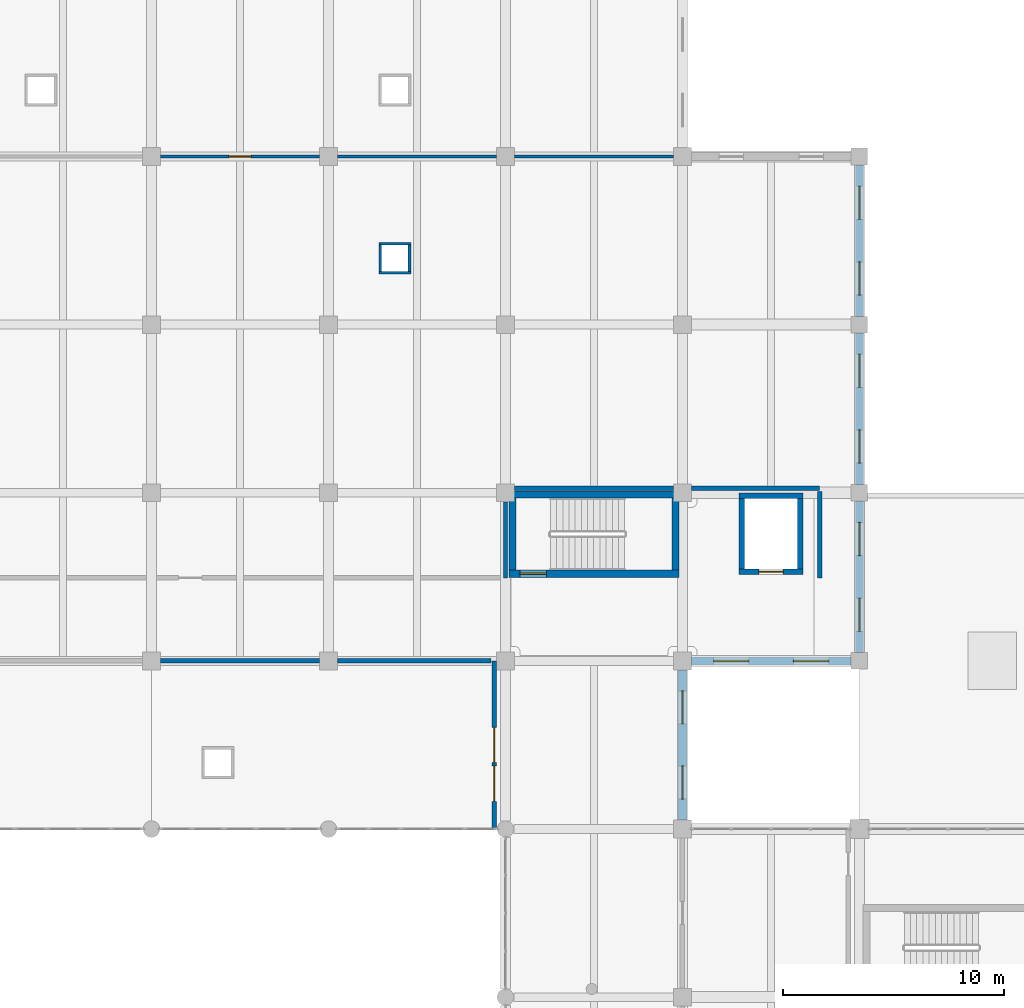
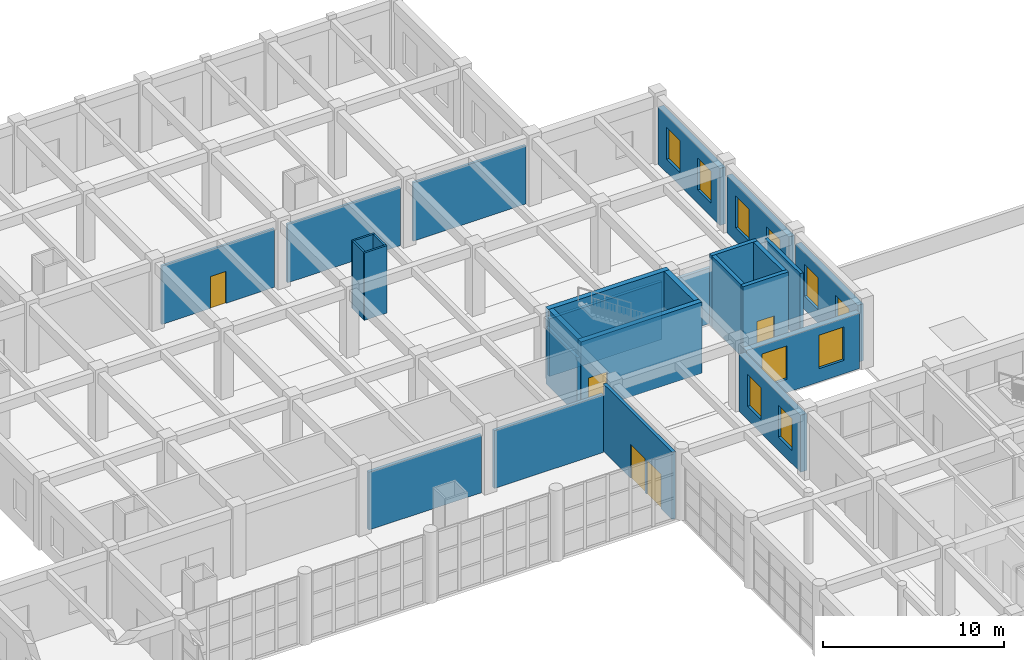
# One storey, part 77 of 101: 27 walls, 10 windows, 5 doors, 15 openings.
"""IFC4 building model written with IfcOpenShell, lengths in metres."""

from ifc_helpers import new_model, si_unit, direction, frame, frame_2d, origin, place, context, subcontext, project, spatial, rectangle, extrude, material, layer, layer_set, type_object, element, fill, save


model = new_model("IFC4")

# Units and contexts
model_context = context("Model", 3, precision=1e-05, world=origin(), true_north=direction((0.0, 1.0)))
body_context = subcontext(model_context, "Body", "Model", "MODEL_VIEW")
ifc_project = project(units=[si_unit("LENGTHUNIT", "METRE"), si_unit("AREAUNIT", "SQUARE_METRE"), si_unit("VOLUMEUNIT", "CUBIC_METRE"), si_unit("PLANEANGLEUNIT", "RADIAN"), si_unit("MASSUNIT", "GRAM", prefix="KILO")], contexts=[model_context])

# Site, building, storey
site_placement = place(None, origin())
site = spatial("IfcSite", under=ifc_project, at=site_placement, CompositionType="ELEMENT")
building_placement = place(site_placement, origin())
building = spatial("IfcBuilding", under=site, at=building_placement, Name="Zantavel Square City Hall", CompositionType="ELEMENT")
storey_placement = place(building_placement, frame((0.0, 0.0, 5.39990234375)))
storey = spatial("IfcBuildingStorey", under=building, at=storey_placement, Name="L02", CompositionType="ELEMENT", Elevation=5.39990234375)

# Wall, openings, windows
ifc_material_1 = material(Name="Cantera volcanic tuff stone", Category="masonry")
ifc_layer_1 = layer(ifc_material_1, 0.39990234375, Name="Cantera volcanic tuff stone")
ifc_layer_set_1 = layer_set([ifc_layer_1], Name="Cantera volcanic tuff stone")
wall_type_1 = type_object("IfcWallType", Name="Civic Pavilion Cantera Ashlar Wall 400mm", PredefinedType="STANDARD", material=ifc_layer_set_1)
wall_1_placement = place(storey_placement, frame((56.0, 75.60009765625, 0.0), z_axis=(0.0, 0.0, 1.0), x_axis=(0.0, -1.0, 0.0)))
wall_1 = element("IfcWall", 1, at=wall_1_placement, inside=storey, type_object=wall_type_1, Name="L02 Exterior Wall EW-L02-022", PredefinedType="STANDARD", context=body_context, shape_type="SweptSolid", body=[
    extrude(rectangle(XDim=6.800048828125, YDim=0.39990234375, at=frame_2d((3.39990234375, 0.0))), origin(), (0.0, 0.0, 1.0), 3.840087890625),
])
opening_1_placement = place(wall_1_placement, frame((0.949951171875, 0.0, 0.89990234375)))
opening_1 = element("IfcOpeningElement", 2, at=opening_1_placement, cuts=wall_1, Name="Opening W-185", PredefinedType="OPENING", context=body_context, shape_type="SweptSolid", body=[
    extrude(rectangle(XDim=1.5, YDim=2.14990234375, at=frame_2d((0.75, 1.074951171875))), frame((0.0, 0.2099609375, 0.0), z_axis=(0.0, -1.0, 0.0), x_axis=(1.0, 0.0, 0.0)), (0.0, 0.0, 1.0), 0.419921875),
])
opening_2_placement = place(wall_1_placement, frame((4.35009765625, 0.0, 0.89990234375)))
opening_2 = element("IfcOpeningElement", 3, at=opening_2_placement, cuts=wall_1, Name="Opening W-186", PredefinedType="OPENING", context=body_context, shape_type="SweptSolid", body=[
    extrude(rectangle(XDim=1.5, YDim=2.14990234375, at=frame_2d((0.75, 1.074951171875))), frame((0.0, 0.2099609375, 0.0), z_axis=(0.0, -1.0, 0.0), x_axis=(1.0, 0.0, 0.0)), (0.0, 0.0, 1.0), 0.419921875),
])
ifc_material_2 = material(Name="Tempered safety glass low-E double glazing", Category="glass")
window_type_1 = type_object("IfcWindowType", Name="Window Mezzanine Annex 1500x2150", PartitioningType="DOUBLE_PANEL_VERTICAL", PredefinedType="WINDOW", material=ifc_material_2)
window_1_placement = place(opening_1_placement, origin())
window_1 = element("IfcWindow", 4, at=window_1_placement, inside=storey, type_object=window_type_1, Name="L02 Window W-185", OverallHeight=2.14990234375, OverallWidth=1.5, PartitioningType="DOUBLE_PANEL_VERTICAL", PredefinedType="WINDOW", context=body_context, shape_type="SweptSolid", body=[
    extrude(rectangle(XDim=1.5, YDim=2.14990234375, at=frame_2d((0.75, 1.074951171875))), frame((0.0, 0.030029296875, 0.0), z_axis=(0.0, -1.0, 0.0), x_axis=(1.0, 0.0, 0.0)), (0.0, 0.0, 1.0), 0.06005859375),
])
fill(opening_1, window_1)
window_2_placement = place(opening_2_placement, origin())
window_2 = element("IfcWindow", 5, at=window_2_placement, inside=storey, type_object=window_type_1, Name="L02 Window W-186", OverallHeight=2.14990234375, OverallWidth=1.5, PartitioningType="DOUBLE_PANEL_VERTICAL", PredefinedType="WINDOW", context=body_context, shape_type="SweptSolid", body=[
    extrude(rectangle(XDim=1.5, YDim=2.14990234375, at=frame_2d((0.75, 1.074951171875))), frame((0.0, 0.030029296875, 0.0), z_axis=(0.0, -1.0, 0.0), x_axis=(1.0, 0.0, 0.0)), (0.0, 0.0, 1.0), 0.06005859375),
])
fill(opening_2, window_2)

# Wall, opening, door
ifc_material_3 = material(Name="Concrete C40/50", Category="concrete")
ifc_layer_2 = layer(ifc_material_3, 0.320068359375, Name="Concrete C40/50")
ifc_layer_set_2 = layer_set([ifc_layer_2], Name="Concrete C40/50")
wall_type_2 = type_object("IfcWallType", Name="Core Shear Wall RC 320mm C40/50", PredefinedType="SHEAR", material=ifc_layer_set_2)
wall_2_placement = place(storey_placement, frame((55.85009765625, 79.93994140625, 0.0), z_axis=(0.0, 0.0, 1.0), x_axis=(-1.0, 0.0, 0.0)))
wall_2 = element("IfcWall", 6, at=wall_2_placement, inside=storey, type_object=wall_type_2, Name="L02 Exit Stair 1 North-West Core Shear Wall South", PredefinedType="SHEAR", context=body_context, shape_type="SweptSolid", body=[
    extrude(rectangle(XDim=7.7001953125, YDim=0.320068359375, at=frame_2d((3.85009765625, 0.0))), origin(), (0.0, 0.0, 1.0), 4.800048828125),
])
opening_3_placement = place(wall_2_placement, frame((6.0, 0.0, 0.0)))
opening_3 = element("IfcOpeningElement", 7, at=opening_3_placement, cuts=wall_2, Name="Opening SD-003", PredefinedType="OPENING", context=body_context, shape_type="SweptSolid", body=[
    extrude(rectangle(XDim=1.199951171875, YDim=2.199951171875, at=frame_2d((0.60009765625, 1.10009765625))), frame((0.0, 0.169921875, 0.0), z_axis=(0.0, -1.0, 0.0), x_axis=(1.0, 0.0, 0.0)), (0.0, 0.0, 1.0), 0.340087890625),
])
ifc_material_4 = material(Name="Steel ASTM A500 Grade B", Category="steel")
door_type_1 = type_object("IfcDoorType", Name="Enclosed Exit Stairwell Fire Door 1200x2200 FD90S", OperationType="NOTDEFINED", PredefinedType="DOOR", material=ifc_material_4)
door_1_placement = place(opening_3_placement, origin())
door_1 = element("IfcDoor", 8, at=door_1_placement, inside=storey, type_object=door_type_1, Name="L02 Exit Stair 1 North-West Core Fire Door", OperationType="SINGLE_SWING_LEFT", OverallHeight=2.199951171875, OverallWidth=1.199951171875, PredefinedType="DOOR", context=body_context, shape_type="SweptSolid", body=[
    extrude(rectangle(XDim=1.199951171875, YDim=2.199951171875, at=frame_2d((0.60009765625, 1.10009765625))), frame((0.0, 0.02490234375, 0.0), z_axis=(0.0, -1.0, 0.0), x_axis=(1.0, 0.0, 0.0)), (0.0, 0.0, 1.0), 0.050048828125),
])
fill(opening_3, door_1)

# Walls
wall_3_placement = place(storey_placement, frame((48.31005859375, 80.10009765625, 0.0), z_axis=(0.0, 0.0, 1.0), x_axis=(0.0, 1.0, 0.0)))
element("IfcWall", 9, at=wall_3_placement, inside=storey, type_object=wall_type_2, Name="L02 Exit Stair 1 North-West Core Shear Wall West", PredefinedType="SHEAR", context=body_context, shape_type="SweptSolid", body=[
    extrude(rectangle(XDim=3.27001953125, YDim=0.320068359375, at=frame_2d((1.635009765625, 0.0))), origin(), (0.0, 0.0, 1.0), 4.800048828125),
])
wall_4_placement = place(storey_placement, frame((48.14990234375, 83.530029296875, 0.0), z_axis=(0.0, 0.0, 1.0), x_axis=(1.0, 0.0, 0.0)))
element("IfcWall", 10, at=wall_4_placement, inside=storey, type_object=wall_type_2, Name="L02 Exit Stair 1 North-West Core Shear Wall North", PredefinedType="SHEAR", context=body_context, shape_type="SweptSolid", body=[
    extrude(rectangle(XDim=7.7001953125, YDim=0.320068359375, at=frame_2d((3.85009765625, 0.0))), origin(), (0.0, 0.0, 1.0), 4.800048828125),
])
wall_5_placement = place(storey_placement, frame((55.68994140625, 83.3701171875, 0.0), z_axis=(0.0, 0.0, 1.0), x_axis=(0.0, -1.0, 0.0)))
element("IfcWall", 11, at=wall_5_placement, inside=storey, type_object=wall_type_2, Name="L02 Exit Stair 1 North-West Core Shear Wall East", PredefinedType="SHEAR", context=body_context, shape_type="SweptSolid", body=[
    extrude(rectangle(XDim=3.27001953125, YDim=0.320068359375, at=frame_2d((1.635009765625, 0.0))), origin(), (0.0, 0.0, 1.0), 4.800048828125),
])

# Wall, openings, windows
ifc_layer_3 = layer(ifc_material_1, 0.360107421875, Name="Cantera volcanic tuff stone")
ifc_layer_set_3 = layer_set([ifc_layer_3], Name="Cantera volcanic tuff stone")
wall_type_3 = type_object("IfcWallType", Name="Courtyard Cantera Facade Wall 360mm", PredefinedType="STANDARD", material=ifc_layer_set_3)
wall_6_placement = place(storey_placement, frame((64.0, 98.425048828125, 0.0), z_axis=(0.0, 0.0, 1.0), x_axis=(0.0, -1.0, 0.0)))
wall_6 = element("IfcWall", 12, at=wall_6_placement, inside=storey, type_object=wall_type_3, Name="L02 Exterior Wall EW-L02-018", PredefinedType="STANDARD", context=body_context, shape_type="SweptSolid", body=[
    extrude(rectangle(XDim=6.85009765625, YDim=0.360107421875, at=frame_2d((3.425048828125, 0.0))), origin(), (0.0, 0.0, 1.0), 3.840087890625),
])
opening_4_placement = place(wall_6_placement, frame((0.96240234375, 0.0, 0.89990234375)))
opening_4 = element("IfcOpeningElement", 13, at=opening_4_placement, cuts=wall_6, Name="Opening W-177", PredefinedType="OPENING", context=body_context, shape_type="SweptSolid", body=[
    extrude(rectangle(XDim=1.5, YDim=2.14990234375, at=frame_2d((0.75, 1.074951171875))), frame((0.0, 0.18994140625, 0.0), z_axis=(0.0, -1.0, 0.0), x_axis=(1.0, 0.0, 0.0)), (0.0, 0.0, 1.0), 0.380126953125),
])
opening_5_placement = place(wall_6_placement, frame((4.387451171875, 0.0, 0.89990234375)))
opening_5 = element("IfcOpeningElement", 14, at=opening_5_placement, cuts=wall_6, Name="Opening W-178", PredefinedType="OPENING", context=body_context, shape_type="SweptSolid", body=[
    extrude(rectangle(XDim=1.5, YDim=2.14990234375, at=frame_2d((0.75, 1.074951171875))), frame((0.0, 0.18994140625, 0.0), z_axis=(0.0, -1.0, 0.0), x_axis=(1.0, 0.0, 0.0)), (0.0, 0.0, 1.0), 0.380126953125),
])
window_3_placement = place(opening_4_placement, origin())
window_3 = element("IfcWindow", 15, at=window_3_placement, inside=storey, type_object=window_type_1, Name="L02 Window W-177", OverallHeight=2.14990234375, OverallWidth=1.5, PartitioningType="DOUBLE_PANEL_VERTICAL", PredefinedType="WINDOW", context=body_context, shape_type="SweptSolid", body=[
    extrude(rectangle(XDim=1.5, YDim=2.14990234375, at=frame_2d((0.75, 1.074951171875))), frame((0.0, 0.030029296875, 0.0), z_axis=(0.0, -1.0, 0.0), x_axis=(1.0, 0.0, 0.0)), (0.0, 0.0, 1.0), 0.06005859375),
])
fill(opening_4, window_3)
window_4_placement = place(opening_5_placement, origin())
window_4 = element("IfcWindow", 16, at=window_4_placement, inside=storey, type_object=window_type_1, Name="L02 Window W-178", OverallHeight=2.14990234375, OverallWidth=1.5, PartitioningType="DOUBLE_PANEL_VERTICAL", PredefinedType="WINDOW", context=body_context, shape_type="SweptSolid", body=[
    extrude(rectangle(XDim=1.5, YDim=2.14990234375, at=frame_2d((0.75, 1.074951171875))), frame((0.0, 0.030029296875, 0.0), z_axis=(0.0, -1.0, 0.0), x_axis=(1.0, 0.0, 0.0)), (0.0, 0.0, 1.0), 0.06005859375),
])
fill(opening_5, window_4)

wall_7_placement = place(storey_placement, frame((64.0, 90.824951171875, 0.0), z_axis=(0.0, 0.0, 1.0), x_axis=(0.0, -1.0, 0.0)))
wall_7 = element("IfcWall", 17, at=wall_7_placement, inside=storey, type_object=wall_type_3, Name="L02 Exterior Wall EW-L02-019", PredefinedType="STANDARD", context=body_context, shape_type="SweptSolid", body=[
    extrude(rectangle(XDim=6.849853515625, YDim=0.360107421875, at=frame_2d((3.4248046875, 0.0))), origin(), (0.0, 0.0, 1.0), 3.840087890625),
])
opening_6_placement = place(wall_7_placement, frame((0.96240234375, 0.0, 0.89990234375)))
opening_6 = element("IfcOpeningElement", 18, at=opening_6_placement, cuts=wall_7, Name="Opening W-179", PredefinedType="OPENING", context=body_context, shape_type="SweptSolid", body=[
    extrude(rectangle(XDim=1.5, YDim=2.14990234375, at=frame_2d((0.75, 1.074951171875))), frame((0.0, 0.18994140625, 0.0), z_axis=(0.0, -1.0, 0.0), x_axis=(1.0, 0.0, 0.0)), (0.0, 0.0, 1.0), 0.380126953125),
])
opening_7_placement = place(wall_7_placement, frame((4.387451171875, 0.0, 0.89990234375)))
opening_7 = element("IfcOpeningElement", 19, at=opening_7_placement, cuts=wall_7, Name="Opening W-180", PredefinedType="OPENING", context=body_context, shape_type="SweptSolid", body=[
    extrude(rectangle(XDim=1.5, YDim=2.14990234375, at=frame_2d((0.75, 1.074951171875))), frame((0.0, 0.18994140625, 0.0), z_axis=(0.0, -1.0, 0.0), x_axis=(1.0, 0.0, 0.0)), (0.0, 0.0, 1.0), 0.380126953125),
])
window_5_placement = place(opening_6_placement, origin())
window_5 = element("IfcWindow", 20, at=window_5_placement, inside=storey, type_object=window_type_1, Name="L02 Window W-179", OverallHeight=2.14990234375, OverallWidth=1.5, PartitioningType="DOUBLE_PANEL_VERTICAL", PredefinedType="WINDOW", context=body_context, shape_type="SweptSolid", body=[
    extrude(rectangle(XDim=1.5, YDim=2.14990234375, at=frame_2d((0.75, 1.074951171875))), frame((0.0, 0.030029296875, 0.0), z_axis=(0.0, -1.0, 0.0), x_axis=(1.0, 0.0, 0.0)), (0.0, 0.0, 1.0), 0.06005859375),
])
fill(opening_6, window_5)
window_6_placement = place(opening_7_placement, origin())
window_6 = element("IfcWindow", 21, at=window_6_placement, inside=storey, type_object=window_type_1, Name="L02 Window W-180", OverallHeight=2.14990234375, OverallWidth=1.5, PartitioningType="DOUBLE_PANEL_VERTICAL", PredefinedType="WINDOW", context=body_context, shape_type="SweptSolid", body=[
    extrude(rectangle(XDim=1.5, YDim=2.14990234375, at=frame_2d((0.75, 1.074951171875))), frame((0.0, 0.030029296875, 0.0), z_axis=(0.0, -1.0, 0.0), x_axis=(1.0, 0.0, 0.0)), (0.0, 0.0, 1.0), 0.06005859375),
])
fill(opening_7, window_6)

wall_8_placement = place(storey_placement, frame((64.0, 83.22509765625, 0.0), z_axis=(0.0, 0.0, 1.0), x_axis=(0.0, -1.0, 0.0)))
wall_8 = element("IfcWall", 22, at=wall_8_placement, inside=storey, type_object=wall_type_3, Name="L02 Exterior Wall EW-L02-020", PredefinedType="STANDARD", context=body_context, shape_type="SweptSolid", body=[
    extrude(rectangle(XDim=6.85009765625, YDim=0.360107421875, at=frame_2d((3.425048828125, 0.0))), origin(), (0.0, 0.0, 1.0), 3.840087890625),
])
opening_8_placement = place(wall_8_placement, frame((0.96240234375, 0.0, 0.89990234375)))
opening_8 = element("IfcOpeningElement", 23, at=opening_8_placement, cuts=wall_8, Name="Opening W-181", PredefinedType="OPENING", context=body_context, shape_type="SweptSolid", body=[
    extrude(rectangle(XDim=1.5, YDim=2.14990234375, at=frame_2d((0.75, 1.074951171875))), frame((0.0, 0.18994140625, 0.0), z_axis=(0.0, -1.0, 0.0), x_axis=(1.0, 0.0, 0.0)), (0.0, 0.0, 1.0), 0.380126953125),
])
opening_9_placement = place(wall_8_placement, frame((4.387451171875, 0.0, 0.89990234375)))
opening_9 = element("IfcOpeningElement", 24, at=opening_9_placement, cuts=wall_8, Name="Opening W-182", PredefinedType="OPENING", context=body_context, shape_type="SweptSolid", body=[
    extrude(rectangle(XDim=1.5, YDim=2.14990234375, at=frame_2d((0.75, 1.074951171875))), frame((0.0, 0.18994140625, 0.0), z_axis=(0.0, -1.0, 0.0), x_axis=(1.0, 0.0, 0.0)), (0.0, 0.0, 1.0), 0.380126953125),
])
window_7_placement = place(opening_8_placement, origin())
window_7 = element("IfcWindow", 25, at=window_7_placement, inside=storey, type_object=window_type_1, Name="L02 Window W-181", OverallHeight=2.14990234375, OverallWidth=1.5, PartitioningType="DOUBLE_PANEL_VERTICAL", PredefinedType="WINDOW", context=body_context, shape_type="SweptSolid", body=[
    extrude(rectangle(XDim=1.5, YDim=2.14990234375, at=frame_2d((0.75, 1.074951171875))), frame((0.0, 0.030029296875, 0.0), z_axis=(0.0, -1.0, 0.0), x_axis=(1.0, 0.0, 0.0)), (0.0, 0.0, 1.0), 0.06005859375),
])
fill(opening_8, window_7)
window_8_placement = place(opening_9_placement, origin())
window_8 = element("IfcWindow", 26, at=window_8_placement, inside=storey, type_object=window_type_1, Name="L02 Window W-182", OverallHeight=2.14990234375, OverallWidth=1.5, PartitioningType="DOUBLE_PANEL_VERTICAL", PredefinedType="WINDOW", context=body_context, shape_type="SweptSolid", body=[
    extrude(rectangle(XDim=1.5, YDim=2.14990234375, at=frame_2d((0.75, 1.074951171875))), frame((0.0, 0.030029296875, 0.0), z_axis=(0.0, -1.0, 0.0), x_axis=(1.0, 0.0, 0.0)), (0.0, 0.0, 1.0), 0.06005859375),
])
fill(opening_9, window_8)

wall_9_placement = place(storey_placement, frame((63.625, 76.0, 0.0), z_axis=(0.0, 0.0, 1.0), x_axis=(-1.0, 0.0, 0.0)))
wall_9 = element("IfcWall", 27, at=wall_9_placement, inside=storey, type_object=wall_type_3, Name="L02 Exterior Wall EW-L02-021", PredefinedType="STANDARD", context=body_context, shape_type="SweptSolid", body=[
    extrude(rectangle(XDim=7.22509765625, YDim=0.360107421875, at=frame_2d((3.612548828125, 0.0))), origin(), (0.0, 0.0, 1.0), 3.739990234375),
])
opening_10_placement = place(wall_9_placement, frame((1.00634765625, 0.0, 0.89990234375)))
opening_10 = element("IfcOpeningElement", 28, at=opening_10_placement, cuts=wall_9, Name="Opening W-183", PredefinedType="OPENING", context=body_context, shape_type="SweptSolid", body=[
    extrude(rectangle(XDim=1.60009765625, YDim=2.25, at=frame_2d((0.800048828125, 1.125))), frame((0.0, 0.18994140625, 0.0), z_axis=(0.0, -1.0, 0.0), x_axis=(1.0, 0.0, 0.0)), (0.0, 0.0, 1.0), 0.380126953125),
])
opening_11_placement = place(wall_9_placement, frame((4.618896484375, 0.0, 0.89990234375)))
opening_11 = element("IfcOpeningElement", 29, at=opening_11_placement, cuts=wall_9, Name="Opening W-184", PredefinedType="OPENING", context=body_context, shape_type="SweptSolid", body=[
    extrude(rectangle(XDim=1.60009765625, YDim=2.25, at=frame_2d((0.800048828125, 1.125))), frame((0.0, 0.18994140625, 0.0), z_axis=(0.0, -1.0, 0.0), x_axis=(1.0, 0.0, 0.0)), (0.0, 0.0, 1.0), 0.380126953125),
])
window_type_2 = type_object("IfcWindowType", Name="Window Mezzanine Civic 1600x2250", PartitioningType="DOUBLE_PANEL_VERTICAL", PredefinedType="WINDOW", material=ifc_material_2)
window_9_placement = place(opening_10_placement, origin())
window_9 = element("IfcWindow", 30, at=window_9_placement, inside=storey, type_object=window_type_2, Name="L02 Window W-183", OverallHeight=2.25, OverallWidth=1.60009765625, PartitioningType="DOUBLE_PANEL_VERTICAL", PredefinedType="WINDOW", context=body_context, shape_type="SweptSolid", body=[
    extrude(rectangle(XDim=1.60009765625, YDim=2.25, at=frame_2d((0.800048828125, 1.125))), frame((0.0, 0.030029296875, 0.0), z_axis=(0.0, -1.0, 0.0), x_axis=(1.0, 0.0, 0.0)), (0.0, 0.0, 1.0), 0.06005859375),
])
fill(opening_10, window_9)
window_10_placement = place(opening_11_placement, origin())
window_10 = element("IfcWindow", 31, at=window_10_placement, inside=storey, type_object=window_type_2, Name="L02 Window W-184", OverallHeight=2.25, OverallWidth=1.60009765625, PartitioningType="DOUBLE_PANEL_VERTICAL", PredefinedType="WINDOW", context=body_context, shape_type="SweptSolid", body=[
    extrude(rectangle(XDim=1.60009765625, YDim=2.25, at=frame_2d((0.800048828125, 1.125))), frame((0.0, 0.030029296875, 0.0), z_axis=(0.0, -1.0, 0.0), x_axis=(1.0, 0.0, 0.0)), (0.0, 0.0, 1.0), 0.06005859375),
])
fill(opening_11, window_10)

# Wall, opening, door
ifc_material_5 = material(Name="Gypsum acoustic stud assembly", Category="masonry")
ifc_layer_4 = layer(ifc_material_5, 0.14990234375, Name="Gypsum acoustic stud assembly")
ifc_layer_set_4 = layer_set([ifc_layer_4], Name="Gypsum acoustic stud assembly")
wall_type_4 = type_object("IfcWallType", Name="Department Office Partition 150mm", PredefinedType="PARTITIONING", material=ifc_layer_set_4)
wall_10_placement = place(storey_placement, frame((32.409912109375, 98.800048828125, 0.0), z_axis=(0.0, 0.0, 1.0), x_axis=(1.0, 0.0, 0.0)))
wall_10 = element("IfcWall", 32, at=wall_10_placement, inside=storey, type_object=wall_type_4, Name="L02 Interior Wall IW-L02-0218", PredefinedType="PARTITIONING", context=body_context, shape_type="SweptSolid", body=[
    extrude(rectangle(XDim=7.18017578125, YDim=0.14990234375, at=frame_2d((3.590087890625, 0.0))), origin(), (0.0, 0.0, 1.0), 3.940185546875),
])
opening_12_placement = place(wall_10_placement, frame((3.090087890625, 0.0, 0.0)))
opening_12 = element("IfcOpeningElement", 33, at=opening_12_placement, cuts=wall_10, Name="Opening D-0115", PredefinedType="OPENING", context=body_context, shape_type="SweptSolid", body=[
    extrude(rectangle(XDim=1.0, YDim=2.14990234375, at=frame_2d((0.5, 1.074951171875))), frame((0.0, 0.0849609375, 0.0), z_axis=(0.0, -1.0, 0.0), x_axis=(1.0, 0.0, 0.0)), (0.0, 0.0, 1.0), 0.169921875),
])
ifc_material_6 = material(Name="Solid oak hardwood", Category="wood")
door_type_2 = type_object("IfcDoorType", Name="Suite Internal Oak Single Door 1000x2150", OperationType="NOTDEFINED", PredefinedType="DOOR", material=ifc_material_6)
door_2_placement = place(opening_12_placement, origin())
door_2 = element("IfcDoor", 34, at=door_2_placement, inside=storey, type_object=door_type_2, Name="L02 Land Valuation and Registry Office Door", OperationType="SINGLE_SWING_LEFT", OverallHeight=2.14990234375, OverallWidth=1.0, PredefinedType="DOOR", context=body_context, shape_type="SweptSolid", body=[
    extrude(rectangle(XDim=1.0, YDim=2.14990234375, at=frame_2d((0.5, 1.074951171875))), frame((0.0, 0.02490234375, 0.0), z_axis=(0.0, -1.0, 0.0), x_axis=(1.0, 0.0, 0.0)), (0.0, 0.0, 1.0), 0.050048828125),
])
fill(opening_12, door_2)

# Walls
for number, where, z_axis, x_axis, name in (
    (35, (40.409912109375, 98.800048828125, 0.0), (0.0, 0.0, 1.0), (1.0, 0.0, 0.0), "L02 Interior Wall IW-L02-0219"),
    (36, (48.409912109375, 98.800048828125, 0.0), (0.0, 0.0, 1.0), (1.0, 0.0, 0.0), "L02 Interior Wall IW-L02-0220"),
):
    element("IfcWall", number, at=place(storey_placement, frame(where, z_axis=z_axis, x_axis=x_axis)), inside=storey, type_object=wall_type_4, Name=name, PredefinedType="PARTITIONING", context=body_context, shape_type="SweptSolid", body=[
        extrude(rectangle(XDim=7.18017578125, YDim=0.14990234375, at=frame_2d((3.590087890625, 0.0))), origin(), (0.0, 0.0, 1.0), 3.940185546875),
    ])
ifc_layer_5 = layer(ifc_material_1, 0.199951171875, Name="Cantera volcanic tuff stone")
ifc_layer_set_5 = layer_set([ifc_layer_5], Name="Cantera volcanic tuff stone")
wall_type_5 = type_object("IfcWallType", Name="Exit Corridor Rated Wall 200mm", PredefinedType="STANDARD", material=ifc_layer_set_5)
wall_11_placement = place(storey_placement, frame((48.0, 79.75, 0.0), z_axis=(0.0, 0.0, 1.0), x_axis=(0.0, 1.0, 0.0)))
element("IfcWall", 37, at=wall_11_placement, inside=storey, type_object=wall_type_5, Name="L02 Interior Wall IW-L02-0156", PredefinedType="STANDARD", context=body_context, shape_type="SweptSolid", body=[
    extrude(rectangle(XDim=3.43994140625, YDim=0.199951171875, at=frame_2d((1.719970703125, 0.0))), origin(), (0.0, 0.0, 1.0), 3.840087890625),
])
wall_12_placement = place(storey_placement, frame((48.409912109375, 83.800048828125, 0.0), z_axis=(0.0, 0.0, 1.0), x_axis=(1.0, 0.0, 0.0)))
element("IfcWall", 38, at=wall_12_placement, inside=storey, type_object=wall_type_5, Name="L02 Interior Wall IW-L02-0157", PredefinedType="STANDARD", context=body_context, shape_type="SweptSolid", body=[
    extrude(rectangle(XDim=7.18017578125, YDim=0.199951171875, at=frame_2d((3.590087890625, 0.0))), origin(), (0.0, 0.0, 1.0), 3.89013671875),
])
wall_13_placement = place(storey_placement, frame((56.409912109375, 83.800048828125, 0.0), z_axis=(0.0, 0.0, 1.0), x_axis=(1.0, 0.0, 0.0)))
element("IfcWall", 39, at=wall_13_placement, inside=storey, type_object=wall_type_5, Name="L02 Interior Wall IW-L02-0158", PredefinedType="STANDARD", context=body_context, shape_type="SweptSolid", body=[
    extrude(rectangle(XDim=5.7900390625, YDim=0.199951171875, at=frame_2d((2.89501953125, 0.0))), origin(), (0.0, 0.0, 1.0), 3.739990234375),
])
wall_14_placement = place(storey_placement, frame((62.199951171875, 83.64990234375, 0.0), z_axis=(0.0, 0.0, 1.0), x_axis=(0.0, -1.0, 0.0)))
element("IfcWall", 40, at=wall_14_placement, inside=storey, type_object=wall_type_5, Name="L02 Interior Wall IW-L02-0159", PredefinedType="STANDARD", context=body_context, shape_type="SweptSolid", body=[
    extrude(rectangle(XDim=3.89990234375, YDim=0.199951171875, at=frame_2d((1.949951171875, 0.0))), origin(), (0.0, 0.0, 1.0), 4.5400390625),
])

# Wall, openings, doors
wall_15_placement = place(storey_placement, frame((47.5, 76.0, 0.0), z_axis=(0.0, 0.0, 1.0), x_axis=(0.0, -1.0, 0.0)))
wall_15 = element("IfcWall", 41, at=wall_15_placement, inside=storey, type_object=wall_type_5, Name="L02 Interior Wall IW-L02-0188", PredefinedType="STANDARD", context=body_context, shape_type="SweptSolid", body=[
    extrude(rectangle(XDim=7.60009765625, YDim=0.199951171875, at=frame_2d((3.800048828125, 0.0))), origin(), (0.0, 0.0, 1.0), 4.5400390625),
])
opening_13_placement = place(wall_15_placement, frame((3.0, 0.0, 0.0)))
opening_13 = element("IfcOpeningElement", 42, at=opening_13_placement, cuts=wall_15, Name="Opening D-0084", PredefinedType="OPENING", context=body_context, shape_type="SweptSolid", body=[
    extrude(rectangle(XDim=1.60009765625, YDim=2.300048828125, at=frame_2d((0.800048828125, 1.14990234375))), frame((0.0, 0.10986328125, 0.0), z_axis=(0.0, -1.0, 0.0), x_axis=(1.0, 0.0, 0.0)), (0.0, 0.0, 1.0), 0.219970703125),
])
opening_14_placement = place(wall_15_placement, frame((4.75, 0.0, 0.0)))
opening_14 = element("IfcOpeningElement", 43, at=opening_14_placement, cuts=wall_15, Name="Opening D-0106", PredefinedType="OPENING", context=body_context, shape_type="SweptSolid", body=[
    extrude(rectangle(XDim=1.60009765625, YDim=2.300048828125, at=frame_2d((0.800048828125, 1.14990234375))), frame((0.0, 0.10986328125, 0.0), z_axis=(0.0, -1.0, 0.0), x_axis=(1.0, 0.0, 0.0)), (0.0, 0.0, 1.0), 0.219970703125),
])
door_type_3 = type_object("IfcDoorType", Name="Committee Suite Fire Double Door 1600x2300 FD60S", OperationType="NOTDEFINED", PredefinedType="DOOR", material=ifc_material_6)
door_3_placement = place(opening_13_placement, origin())
door_3 = element("IfcDoor", 44, at=door_3_placement, inside=storey, type_object=door_type_3, Name="L02 Gazette and Periodicals Room Door", OperationType="DOUBLE_DOOR_SINGLE_SWING", OverallHeight=2.300048828125, OverallWidth=1.60009765625, PredefinedType="DOOR", context=body_context, shape_type="SweptSolid", body=[
    extrude(rectangle(XDim=1.60009765625, YDim=2.300048828125, at=frame_2d((0.800048828125, 1.14990234375))), frame((0.0, 0.02490234375, 0.0), z_axis=(0.0, -1.0, 0.0), x_axis=(1.0, 0.0, 0.0)), (0.0, 0.0, 1.0), 0.050048828125),
])
fill(opening_13, door_3)
door_4_placement = place(opening_14_placement, origin())
door_4 = element("IfcDoor", 45, at=door_4_placement, inside=storey, type_object=door_type_3, Name="L02 Gazette and Periodicals Room Door", OperationType="DOUBLE_DOOR_SINGLE_SWING", OverallHeight=2.300048828125, OverallWidth=1.60009765625, PredefinedType="DOOR", context=body_context, shape_type="SweptSolid", body=[
    extrude(rectangle(XDim=1.60009765625, YDim=2.300048828125, at=frame_2d((0.800048828125, 1.14990234375))), frame((0.0, 0.02490234375, 0.0), z_axis=(0.0, -1.0, 0.0), x_axis=(1.0, 0.0, 0.0)), (0.0, 0.0, 1.0), 0.050048828125),
])
fill(opening_14, door_4)

# Walls
wall_16_placement = place(storey_placement, frame((32.409912109375, 76.0, 0.0), z_axis=(0.0, 0.0, 1.0), x_axis=(1.0, 0.0, 0.0)))
element("IfcWall", 46, at=wall_16_placement, inside=storey, type_object=wall_type_5, Name="L02 Interior Wall IW-L02-0191", PredefinedType="STANDARD", context=body_context, shape_type="SweptSolid", body=[
    extrude(rectangle(XDim=7.18017578125, YDim=0.199951171875, at=frame_2d((3.590087890625, 0.0))), origin(), (0.0, 0.0, 1.0), 3.89013671875),
])
wall_17_placement = place(storey_placement, frame((40.409912109375, 76.0, 0.0), z_axis=(0.0, 0.0, 1.0), x_axis=(1.0, 0.0, 0.0)))
element("IfcWall", 47, at=wall_17_placement, inside=storey, type_object=wall_type_5, Name="L02 Interior Wall IW-L02-0192", PredefinedType="STANDARD", context=body_context, shape_type="SweptSolid", body=[
    extrude(rectangle(XDim=6.940185546875, YDim=0.199951171875, at=frame_2d((3.47021484375, 0.0))), origin(), (0.0, 0.0, 1.0), 3.89013671875),
])

# Wall, opening, door
ifc_layer_6 = layer(ifc_material_3, 0.25, Name="Concrete C40/50")
ifc_layer_set_6 = layer_set([ifc_layer_6], Name="Concrete C40/50")
wall_type_6 = type_object("IfcWallType", Name="Lift Shaft Wall RC 250mm C40/50", PredefinedType="SHEAR", material=ifc_layer_set_6)
wall_18_placement = place(storey_placement, frame((61.449951171875, 80.02490234375, 0.0), z_axis=(0.0, 0.0, 1.0), x_axis=(-1.0, 0.0, 0.0)))
wall_18 = element("IfcWall", 48, at=wall_18_placement, inside=storey, type_object=wall_type_6, Name="L02 Lift LF05 Shaft Wall South", PredefinedType="SHEAR", context=body_context, shape_type="SweptSolid", body=[
    extrude(rectangle(XDim=2.89990234375, YDim=0.25, at=frame_2d((1.449951171875, 0.0))), origin(), (0.0, 0.0, 1.0), 4.800048828125),
])
opening_15_placement = place(wall_18_placement, frame((0.89990234375, 0.0, 0.0)))
opening_15 = element("IfcOpeningElement", 49, at=opening_15_placement, cuts=wall_18, Name="Opening LD-LF05-L02", PredefinedType="OPENING", context=body_context, shape_type="SweptSolid", body=[
    extrude(rectangle(XDim=1.10009765625, YDim=2.14990234375, at=frame_2d((0.550048828125, 1.074951171875))), frame((0.0, 0.135009765625, 0.0), z_axis=(0.0, -1.0, 0.0), x_axis=(1.0, 0.0, 0.0)), (0.0, 0.0, 1.0), 0.27001953125),
])
ifc_material_7 = material(Name="Stainless steel 316", Category="steel")
door_type_4 = type_object("IfcDoorType", Name="Lift Landing Sliding Door 1100x2150 FD90S", OperationType="NOTDEFINED", PredefinedType="DOOR", material=ifc_material_7)
door_5_placement = place(opening_15_placement, origin())
door_5 = element("IfcDoor", 50, at=door_5_placement, inside=storey, type_object=door_type_4, Name="L02 Lift LF05 Sliding Landing Door", OperationType="DOUBLE_DOOR_SLIDING", OverallHeight=2.14990234375, OverallWidth=1.10009765625, PredefinedType="DOOR", context=body_context, shape_type="SweptSolid", body=[
    extrude(rectangle(XDim=1.10009765625, YDim=2.14990234375, at=frame_2d((0.550048828125, 1.074951171875))), frame((0.0, 0.02490234375, 0.0), z_axis=(0.0, -1.0, 0.0), x_axis=(1.0, 0.0, 0.0)), (0.0, 0.0, 1.0), 0.050048828125),
])
fill(opening_15, door_5)

# Walls
wall_19_placement = place(storey_placement, frame((58.675048828125, 80.14990234375, 0.0), z_axis=(0.0, 0.0, 1.0), x_axis=(0.0, 1.0, 0.0)))
element("IfcWall", 51, at=wall_19_placement, inside=storey, type_object=wall_type_6, Name="L02 Lift LF05 Shaft Wall West", PredefinedType="SHEAR", context=body_context, shape_type="SweptSolid", body=[
    extrude(rectangle(XDim=3.2001953125, YDim=0.25, at=frame_2d((1.60009765625, 0.0))), origin(), (0.0, 0.0, 1.0), 4.800048828125),
])
wall_20_placement = place(storey_placement, frame((58.550048828125, 83.47509765625, 0.0), z_axis=(0.0, 0.0, 1.0), x_axis=(1.0, 0.0, 0.0)))
element("IfcWall", 52, at=wall_20_placement, inside=storey, type_object=wall_type_6, Name="L02 Lift LF05 Shaft Wall North", PredefinedType="SHEAR", context=body_context, shape_type="SweptSolid", body=[
    extrude(rectangle(XDim=2.89990234375, YDim=0.25, at=frame_2d((1.449951171875, 0.0))), origin(), (0.0, 0.0, 1.0), 4.800048828125),
])
wall_21_placement = place(storey_placement, frame((61.324951171875, 83.35009765625, 0.0), z_axis=(0.0, 0.0, 1.0), x_axis=(0.0, -1.0, 0.0)))
element("IfcWall", 53, at=wall_21_placement, inside=storey, type_object=wall_type_6, Name="L02 Lift LF05 Shaft Wall East", PredefinedType="SHEAR", context=body_context, shape_type="SweptSolid", body=[
    extrude(rectangle(XDim=3.2001953125, YDim=0.25, at=frame_2d((1.60009765625, 0.0))), origin(), (0.0, 0.0, 1.0), 4.800048828125),
])
ifc_material_8 = material(Name="Concrete C35/45", Category="concrete")
ifc_layer_7 = layer(ifc_material_8, 0.1201171875, Name="Concrete C35/45")
ifc_layer_set_7 = layer_set([ifc_layer_7], Name="Concrete C35/45")
wall_type_7 = type_object("IfcWallType", Name="Riser Chase Wall RC 120mm C35/45", PredefinedType="PARTITIONING", material=ifc_layer_set_7)
wall_22_placement = place(storey_placement, frame((43.719970703125, 93.5400390625, 0.0), z_axis=(0.0, 0.0, 1.0), x_axis=(-1.0, 0.0, 0.0)))
element("IfcWall", 54, at=wall_22_placement, inside=storey, type_object=wall_type_7, Name="L02 MEP Riser 24 Wall S", PredefinedType="PARTITIONING", context=body_context, shape_type="SweptSolid", body=[
    extrude(rectangle(XDim=1.43994140625, YDim=0.1201171875, at=frame_2d((0.719970703125, 0.0))), origin(), (0.0, 0.0, 1.0), 4.5400390625),
])
wall_23_placement = place(storey_placement, frame((42.340087890625, 93.60009765625, 0.0), z_axis=(0.0, 0.0, 1.0), x_axis=(0.0, 1.0, 0.0)))
element("IfcWall", 55, at=wall_23_placement, inside=storey, type_object=wall_type_7, Name="L02 MEP Riser 24 Wall W", PredefinedType="PARTITIONING", context=body_context, shape_type="SweptSolid", body=[
    extrude(rectangle(XDim=1.199951171875, YDim=0.1201171875, at=frame_2d((0.60009765625, 0.0))), origin(), (0.0, 0.0, 1.0), 4.5400390625),
])
wall_24_placement = place(storey_placement, frame((42.280029296875, 94.860107421875, 0.0), z_axis=(0.0, 0.0, 1.0), x_axis=(1.0, 0.0, 0.0)))
element("IfcWall", 56, at=wall_24_placement, inside=storey, type_object=wall_type_7, Name="L02 MEP Riser 24 Wall N", PredefinedType="PARTITIONING", context=body_context, shape_type="SweptSolid", body=[
    extrude(rectangle(XDim=1.43994140625, YDim=0.1201171875, at=frame_2d((0.719970703125, 0.0))), origin(), (0.0, 0.0, 1.0), 4.5400390625),
])
wall_25_placement = place(storey_placement, frame((43.659912109375, 94.800048828125, 0.0), z_axis=(0.0, 0.0, 1.0), x_axis=(0.0, -1.0, 0.0)))
element("IfcWall", 57, at=wall_25_placement, inside=storey, type_object=wall_type_7, Name="L02 MEP Riser 24 Wall E", PredefinedType="PARTITIONING", context=body_context, shape_type="SweptSolid", body=[
    extrude(rectangle(XDim=1.199951171875, YDim=0.1201171875, at=frame_2d((0.60009765625, 0.0))), origin(), (0.0, 0.0, 1.0), 4.5400390625),
])

save(model, "model.ifc")
